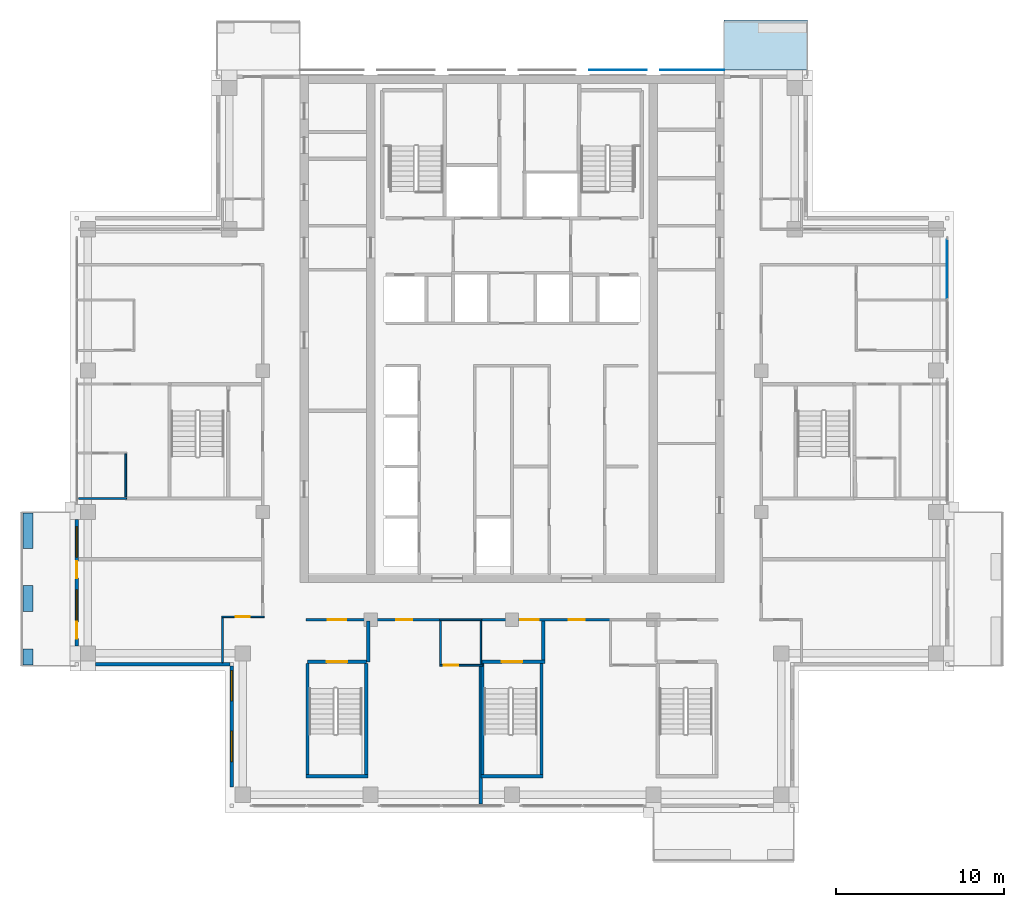
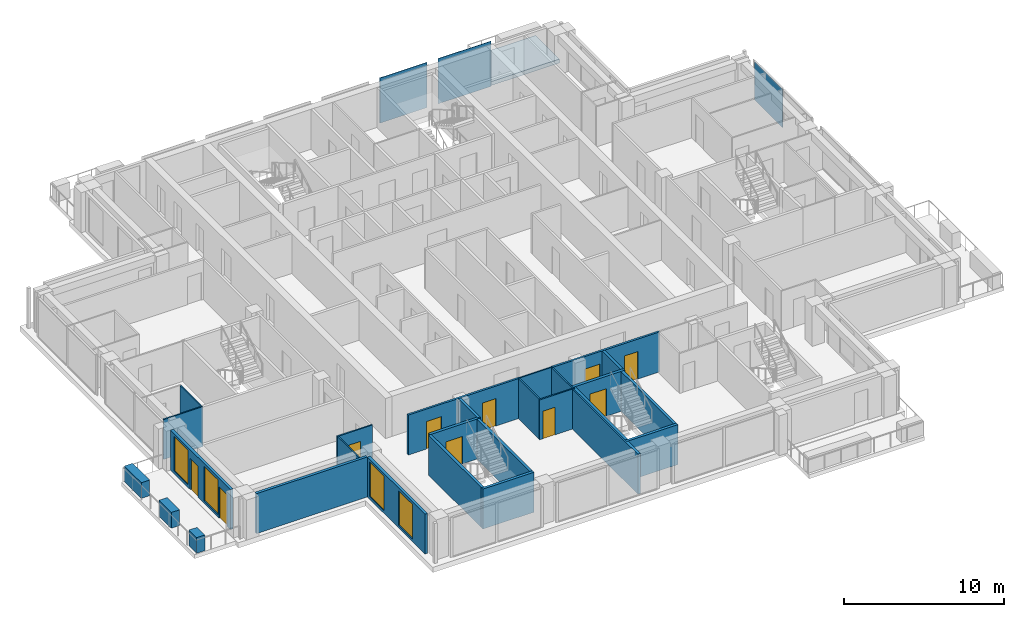
# One storey, part 9 of 18: 27 walls, 10 doors, 4 windows, 3 plates, 1 slab, 14 openings, 1 element without a shape of its own.
"""IFC4 building model written with IfcOpenShell, lengths in metres."""

from ifc_helpers import new_model, si_unit, direction, frame, frame_2d, origin, origin_2d, place, context, subcontext, project, spatial, polyline, rectangle, outline, extrude, material, layer, layer_set, type_object, element, fill, aggregate, save


model = new_model("IFC4")

# Units and contexts
model_context = context("Model", 3, precision=1e-05, world=origin(), true_north=direction((0.0, 1.0)))
body_context = subcontext(model_context, "Body", "Model", "MODEL_VIEW")
ifc_project = project(units=[si_unit("LENGTHUNIT", "METRE"), si_unit("AREAUNIT", "SQUARE_METRE"), si_unit("VOLUMEUNIT", "CUBIC_METRE"), si_unit("PLANEANGLEUNIT", "RADIAN"), si_unit("MASSUNIT", "GRAM", prefix="KILO")], contexts=[model_context])

# Site, building, storey
site_placement = place(None, origin())
site = spatial("IfcSite", under=ifc_project, at=site_placement, CompositionType="ELEMENT")
building_placement = place(site_placement, origin())
building = spatial("IfcBuilding", under=site, at=building_placement, Name="Vermilion Ogive Tower", CompositionType="ELEMENT")
storey_placement = place(building_placement, frame((0.0, 0.0, 230.35009765625)))
storey = spatial("IfcBuildingStorey", under=building, at=storey_placement, Name="L60", CompositionType="ELEMENT", Elevation=230.35009765625)

# Slab
ifc_material_1 = material(Name="Concrete B40", Category="concrete")
ifc_layer_1 = layer(ifc_material_1, 0.300048828125)
ifc_layer_set_1 = layer_set([ifc_layer_1], Name="Balcony slab")
slab_type = type_object("IfcSlabType", Name="Balcony slab", PredefinedType="FLOOR", material=ifc_layer_set_1)
slab_placement = place(storey_placement, frame((0.0, 0.0, -0.340087890625)))
element("IfcSlab", 1, at=slab_placement, inside=storey, type_object=slab_type, Name="Balcony slab N101", PredefinedType="FLOOR", context=body_context, shape_type="SweptSolid", body=[
    extrude(outline(polyline([(17.550048828125, 25.030029296875), (12.60009765625, 25.030029296875), (12.60009765625, 22.050048828125), (17.550048828125, 22.050048828125), (17.550048828125, 25.030029296875)])), origin(), (0.0, 0.0, 1.0), 0.300048828125),
])

# Curtain wall, plate
ifc_material_2 = material(Name="Low-iron laminated glazing in aluminium frame", Category="aluminium")
curtain_wall_type = type_object("IfcCurtainWallType", Name="Curtain wall CW7", PredefinedType="NOTDEFINED", material=ifc_material_2)
curtain_wall_placement = place(storey_placement, origin())
curtain_wall = element("IfcCurtainWall", 2, at=curtain_wall_placement, inside=storey, type_object=curtain_wall_type, Name="Glazed skin E3", PredefinedType="NOTDEFINED")
ifc_material_3 = material(Name="Low-iron laminated glazing in aluminium frame", Category="aluminium")
ifc_layer_2 = layer(ifc_material_3, 0.031982421875)
ifc_layer_set_2 = layer_set([ifc_layer_2], Name="CW7 glazing panel 32")
plate_type_1 = type_object("IfcPlateType", Name="CW7 glazing panel 32", PredefinedType="CURTAIN_PANEL", material=ifc_layer_set_2)
plate_1_placement = place(storey_placement, frame((25.85009765625, 10.22998046875, 0.06005859375), z_axis=(0.0, 0.0, 1.0), x_axis=(0.0, 1.0, 0.0)))
plate_1 = element("IfcPlate", 3, at=plate_1_placement, type_object=plate_type_1, Name="CW7-E3 panel 2.1", PredefinedType="CURTAIN_PANEL", context=body_context, shape_type="SweptSolid", body=[
    extrude(rectangle(XDim=3.47998046875, YDim=0.031982421875, at=origin_2d()), origin(), (0.0, 0.0, 1.0), 2.929931640625),
])
aggregate(curtain_wall, [plate_1])

# Plates
ifc_material_4 = material(Name="Low-iron laminated glazing in aluminium frame", Category="aluminium")
ifc_layer_3 = layer(ifc_material_4, 0.031982421875)
ifc_layer_set_3 = layer_set([ifc_layer_3], Name="Glazed rainscreen sheet 32")
plate_type_2 = type_object("IfcPlateType", Name="Glazed rainscreen sheet 32", PredefinedType="SHEET", material=ifc_layer_set_3)
plate_2_placement = place(storey_placement, frame((6.300048828125, 22.06591796875, -0.39990234375), z_axis=(0.0, 0.0, 1.0), x_axis=(1.0, 0.0, 0.0)))
element("IfcPlate", 4, at=plate_2_placement, inside=storey, type_object=plate_type_2, Name="Glazed rainscreen sheet N5", PredefinedType="SHEET", context=body_context, shape_type="SweptSolid", body=[
    extrude(rectangle(XDim=3.39990234375, YDim=0.031982421875, at=origin_2d()), origin(), (0.0, 0.0, 1.0), 3.449951171875),
])
plate_3_placement = place(storey_placement, frame((10.7099609375, 22.06591796875, -0.39990234375), z_axis=(0.0, 0.0, 1.0), x_axis=(1.0, 0.0, 0.0)))
element("IfcPlate", 5, at=plate_3_placement, inside=storey, type_object=plate_type_2, Name="Glazed rainscreen sheet N6", PredefinedType="SHEET", context=body_context, shape_type="SweptSolid", body=[
    extrude(rectangle(XDim=3.820068359375, YDim=0.031982421875, at=origin_2d()), origin(), (0.0, 0.0, 1.0), 3.449951171875),
])

# Wall, opening, door
ifc_material_5 = material(Name="Gypsum board partition on steel studs", Category="steel")
ifc_layer_4 = layer(ifc_material_5, 0.10009765625)
ifc_layer_set_4 = layer_set([ifc_layer_4], Name="Partition 100 bath")
wall_type_1 = type_object("IfcWallType", Name="Partition 100 bath", PredefinedType="PARTITIONING", material=ifc_layer_set_4)
wall_1_placement = place(storey_placement, frame((-4.300048828125, -13.300048828125, 0.0), z_axis=(0.0, 0.0, 1.0), x_axis=(1.0, 0.0, 0.0)))
wall_1 = element("IfcWall", 6, at=wall_1_placement, inside=storey, type_object=wall_type_1, Name="L60-W-W002", PredefinedType="PARTITIONING", context=body_context, shape_type="SweptSolid", body=[
    extrude(rectangle(XDim=2.550048828125, YDim=0.10009765625, at=frame_2d((1.27490234375, 0.0))), origin(), (0.0, 0.0, 1.0), 3.0498046875),
])
opening_1_placement = place(wall_1_placement, frame((0.25, 0.0, 0.0)))
opening_1 = element("IfcOpeningElement", 7, at=opening_1_placement, cuts=wall_1, Name="Opening D5G1010", PredefinedType="OPENING", context=body_context, shape_type="SweptSolid", body=[
    extrude(rectangle(XDim=0.85009765625, YDim=2.10009765625, at=frame_2d((0.425048828125, 1.050048828125))), frame((0.0, 0.06005859375, 0.0), z_axis=(0.0, -1.0, 0.0), x_axis=(1.0, 0.0, 0.0)), (0.0, 0.0, 1.0), 0.1201171875),
])
ifc_material_6 = material(Name="Timber door leaf", Category="wood")
door_type_1 = type_object("IfcDoorType", Name="Bath door 850 x 2100 FD30", OperationType="SINGLE_SWING_LEFT", PredefinedType="DOOR", material=ifc_material_6)
door_1_placement = place(opening_1_placement, origin())
door_1 = element("IfcDoor", 8, at=door_1_placement, inside=storey, type_object=door_type_1, Name="L60-D-D010", OperationType="SINGLE_SWING_LEFT", OverallHeight=2.10009765625, OverallWidth=0.85009765625, PredefinedType="DOOR", context=body_context, shape_type="SweptSolid", body=[
    extrude(rectangle(XDim=0.85009765625, YDim=2.10009765625, at=frame_2d((0.425048828125, 1.050048828125))), frame((0.0, 0.02490234375, 0.0), z_axis=(0.0, -1.0, 0.0), x_axis=(1.0, 0.0, 0.0)), (0.0, 0.0, 1.0), 0.050048828125),
])
fill(opening_1, door_1)

# Wall
wall_2_placement = place(storey_placement, frame((-4.300048828125, -10.60009765625, 0.0), z_axis=(0.0, 0.0, 1.0), x_axis=(1.0, 0.0, 0.0)))
element("IfcWall", 9, at=wall_2_placement, inside=storey, type_object=wall_type_1, Name="L60-W-W008", PredefinedType="PARTITIONING", context=body_context, shape_type="SweptSolid", body=[
    extrude(rectangle(XDim=2.5, YDim=0.10009765625, at=frame_2d((1.25, 0.0))), origin(), (0.0, 0.0, 1.0), 3.0498046875),
])

# Wall, opening, door
wall_3_placement = place(storey_placement, frame((-17.25, -10.429931640625, 0.0), z_axis=(0.0, 0.0, 1.0), x_axis=(1.0, 0.0, 0.0)))
wall_3 = element("IfcWall", 10, at=wall_3_placement, inside=storey, type_object=wall_type_1, Name="L60-W-W013", PredefinedType="PARTITIONING", context=body_context, shape_type="SweptSolid", body=[
    extrude(rectangle(XDim=2.52490234375, YDim=0.10009765625, at=frame_2d((1.262451171875, 0.0))), origin(), (0.0, 0.0, 1.0), 3.0498046875),
])
opening_2_placement = place(wall_3_placement, frame((0.824951171875, 0.0, 0.0)))
opening_2 = element("IfcOpeningElement", 11, at=opening_2_placement, cuts=wall_3, Name="Opening D5G1002", PredefinedType="OPENING", context=body_context, shape_type="SweptSolid", body=[
    extrude(rectangle(XDim=0.85009765625, YDim=2.10009765625, at=frame_2d((0.425048828125, 1.050048828125))), frame((0.0, 0.06005859375, 0.0), z_axis=(0.0, -1.0, 0.0), x_axis=(1.0, 0.0, 0.0)), (0.0, 0.0, 1.0), 0.1201171875),
])
door_2_placement = place(opening_2_placement, origin())
door_2 = element("IfcDoor", 12, at=door_2_placement, inside=storey, type_object=door_type_1, Name="L60-D-D002", OperationType="SINGLE_SWING_RIGHT", OverallHeight=2.10009765625, OverallWidth=0.85009765625, PredefinedType="DOOR", context=body_context, shape_type="SweptSolid", body=[
    extrude(rectangle(XDim=0.85009765625, YDim=2.10009765625, at=frame_2d((0.425048828125, 1.050048828125))), frame((0.0, 0.02490234375, 0.0), z_axis=(0.0, -1.0, 0.0), x_axis=(1.0, 0.0, 0.0)), (0.0, 0.0, 1.0), 0.050048828125),
])
fill(opening_2, door_2)

# Walls
wall_4_placement = place(storey_placement, frame((-25.75, -3.39990234375, 0.0), z_axis=(0.0, 0.0, 1.0), x_axis=(1.0, 0.0, 0.0)))
element("IfcWall", 13, at=wall_4_placement, inside=storey, type_object=wall_type_1, Name="L60-W-W016", PredefinedType="PARTITIONING", context=body_context, shape_type="SweptSolid", body=[
    extrude(rectangle(XDim=2.85009765625, YDim=0.10009765625, at=frame_2d((1.425048828125, 0.0))), origin(), (0.0, 0.0, 1.0), 3.0498046875),
])
wall_5_placement = place(storey_placement, frame((-22.949951171875, -3.300048828125, 0.0), z_axis=(0.0, 0.0, 1.0), x_axis=(0.0, 1.0, 0.0)))
element("IfcWall", 14, at=wall_5_placement, inside=storey, type_object=wall_type_1, Name="L60-W-W039", PredefinedType="PARTITIONING", context=body_context, shape_type="SweptSolid", body=[
    extrude(rectangle(XDim=2.550048828125, YDim=0.10009765625, at=frame_2d((1.27490234375, 0.0))), origin(), (0.0, 0.0, 1.0), 3.0498046875),
])
wall_6_placement = place(storey_placement, frame((-17.199951171875, -13.14990234375, 0.0), z_axis=(0.0, 0.0, 1.0), x_axis=(0.0, 1.0, 0.0)))
element("IfcWall", 15, at=wall_6_placement, inside=storey, type_object=wall_type_1, Name="L60-W-W042", PredefinedType="PARTITIONING", context=body_context, shape_type="SweptSolid", body=[
    extrude(rectangle(XDim=2.669921875, YDim=0.10009765625, at=frame_2d((1.3349609375, 0.0))), origin(), (0.0, 0.0, 1.0), 3.0498046875),
])
for number, where, z_axis, x_axis, name in (
    (16, (-4.25, -13.25, 0.0), (0.0, 0.0, 1.0), (0.0, 1.0, 0.0), "L60-W-W049"),
    (17, (-1.85009765625, -13.25, 0.0), (0.0, 0.0, 1.0), (0.0, 1.0, 0.0), "L60-W-W051"),
):
    element("IfcWall", number, at=place(storey_placement, frame(where, z_axis=z_axis, x_axis=x_axis)), inside=storey, type_object=wall_type_1, Name=name, PredefinedType="PARTITIONING", context=body_context, shape_type="SweptSolid", body=[
        extrude(rectangle(XDim=2.574951171875, YDim=0.10009765625, at=frame_2d((1.28759765625, 0.0))), origin(), (0.0, 0.0, 1.0), 3.0498046875),
    ])

# Wall, openings, doors
ifc_material_7 = material(Name="Gypsum board partition on steel studs", Category="steel")
ifc_layer_5 = layer(ifc_material_7, 0.14990234375)
ifc_layer_set_5 = layer_set([ifc_layer_5], Name="Partition 150 corridor")
wall_type_2 = type_object("IfcWallType", Name="Partition 150 corridor", PredefinedType="PARTITIONING", material=ifc_layer_set_5)
wall_7_placement = place(storey_placement, frame((-12.25, -10.60009765625, 0.0), z_axis=(0.0, 0.0, 1.0), x_axis=(1.0, 0.0, 0.0)))
wall_7 = element("IfcWall", 18, at=wall_7_placement, inside=storey, type_object=wall_type_2, Name="L60-W-W007", PredefinedType="PARTITIONING", context=body_context, shape_type="SweptSolid", body=[
    extrude(rectangle(XDim=8.050048828125, YDim=0.14990234375, at=frame_2d((4.02490234375, 0.0))), origin(), (0.0, 0.0, 1.0), 3.0498046875),
])
opening_3_placement = place(wall_7_placement, frame((5.375, 0.0, 0.0)))
opening_3 = element("IfcOpeningElement", 19, at=opening_3_placement, cuts=wall_7, Name="Opening D5G1009", PredefinedType="OPENING", context=body_context, shape_type="SweptSolid", body=[
    extrude(rectangle(XDim=0.949951171875, YDim=2.10009765625, at=frame_2d((0.47509765625, 1.050048828125))), frame((0.0, 0.0849609375, 0.0), z_axis=(0.0, -1.0, 0.0), x_axis=(1.0, 0.0, 0.0)), (0.0, 0.0, 1.0), 0.169921875),
])
opening_4_placement = place(wall_7_placement, frame((1.300048828125, 0.0, 0.0)))
opening_4 = element("IfcOpeningElement", 20, at=opening_4_placement, cuts=wall_7, Name="Opening D5G1023", PredefinedType="OPENING", context=body_context, shape_type="SweptSolid", body=[
    extrude(rectangle(XDim=1.10009765625, YDim=2.10009765625, at=frame_2d((0.550048828125, 1.050048828125))), frame((0.0, 0.0849609375, 0.0), z_axis=(0.0, -1.0, 0.0), x_axis=(1.0, 0.0, 0.0)), (0.0, 0.0, 1.0), 0.169921875),
])
ifc_material_8 = material(Name="Timber door leaf", Category="wood")
door_type_2 = type_object("IfcDoorType", Name="Stair door 1100 x 2100 FD60S", OperationType="SINGLE_SWING_LEFT", PredefinedType="DOOR", material=ifc_material_8)
door_3_placement = place(opening_4_placement, origin())
door_3 = element("IfcDoor", 21, at=door_3_placement, inside=storey, type_object=door_type_2, Name="L60-D-D023", OperationType="SINGLE_SWING_RIGHT", OverallHeight=2.10009765625, OverallWidth=1.10009765625, PredefinedType="DOOR", context=body_context, shape_type="SweptSolid", body=[
    extrude(rectangle(XDim=1.10009765625, YDim=2.10009765625, at=frame_2d((0.550048828125, 1.050048828125))), frame((0.0, 0.02490234375, 0.0), z_axis=(0.0, -1.0, 0.0), x_axis=(1.0, 0.0, 0.0)), (0.0, 0.0, 1.0), 0.050048828125),
])
fill(opening_4, door_3)
ifc_material_9 = material(Name="Timber door leaf", Category="wood")
door_type_3 = type_object("IfcDoorType", Name="Unit door 950 x 2100 FD30S", OperationType="SINGLE_SWING_LEFT", PredefinedType="DOOR", material=ifc_material_9)
door_4_placement = place(opening_3_placement, origin())
door_4 = element("IfcDoor", 22, at=door_4_placement, inside=storey, type_object=door_type_3, Name="L60-D-D009", OperationType="SINGLE_SWING_LEFT", OverallHeight=2.10009765625, OverallWidth=0.949951171875, PredefinedType="DOOR", context=body_context, shape_type="SweptSolid", body=[
    extrude(rectangle(XDim=0.949951171875, YDim=2.10009765625, at=frame_2d((0.47509765625, 1.050048828125))), frame((0.0, 0.02490234375, 0.0), z_axis=(0.0, -1.0, 0.0), x_axis=(1.0, 0.0, 0.0)), (0.0, 0.0, 1.0), 0.050048828125),
])
fill(opening_3, door_4)

wall_8_placement = place(storey_placement, frame((-1.89990234375, -10.60009765625, 0.0), z_axis=(0.0, 0.0, 1.0), x_axis=(1.0, 0.0, 0.0)))
wall_8 = element("IfcWall", 23, at=wall_8_placement, inside=storey, type_object=wall_type_2, Name="L60-W-W009", PredefinedType="PARTITIONING", context=body_context, shape_type="SweptSolid", body=[
    extrude(rectangle(XDim=7.7998046875, YDim=0.14990234375, at=frame_2d((3.89990234375, 0.0))), origin(), (0.0, 0.0, 1.0), 3.0498046875),
])
opening_5_placement = place(wall_8_placement, frame((5.27490234375, 0.0, 0.0)))
opening_5 = element("IfcOpeningElement", 24, at=opening_5_placement, cuts=wall_8, Name="Opening D5G1011", PredefinedType="OPENING", context=body_context, shape_type="SweptSolid", body=[
    extrude(rectangle(XDim=0.949951171875, YDim=2.10009765625, at=frame_2d((0.47509765625, 1.050048828125))), frame((0.0, 0.0849609375, 0.0), z_axis=(0.0, -1.0, 0.0), x_axis=(1.0, 0.0, 0.0)), (0.0, 0.0, 1.0), 0.169921875),
])
opening_6_placement = place(wall_8_placement, frame((2.39990234375, 0.0, 0.0)))
opening_6 = element("IfcOpeningElement", 25, at=opening_6_placement, cuts=wall_8, Name="Opening D5G1025", PredefinedType="OPENING", context=body_context, shape_type="SweptSolid", body=[
    extrude(rectangle(XDim=1.10009765625, YDim=2.10009765625, at=frame_2d((0.550048828125, 1.050048828125))), frame((0.0, 0.0849609375, 0.0), z_axis=(0.0, -1.0, 0.0), x_axis=(1.0, 0.0, 0.0)), (0.0, 0.0, 1.0), 0.169921875),
])
door_5_placement = place(opening_6_placement, origin())
door_5 = element("IfcDoor", 26, at=door_5_placement, inside=storey, type_object=door_type_2, Name="L60-D-D025", OperationType="SINGLE_SWING_LEFT", OverallHeight=2.10009765625, OverallWidth=1.10009765625, PredefinedType="DOOR", context=body_context, shape_type="SweptSolid", body=[
    extrude(rectangle(XDim=1.10009765625, YDim=2.10009765625, at=frame_2d((0.550048828125, 1.050048828125))), frame((0.0, 0.02490234375, 0.0), z_axis=(0.0, -1.0, 0.0), x_axis=(1.0, 0.0, 0.0)), (0.0, 0.0, 1.0), 0.050048828125),
])
fill(opening_6, door_5)
door_6_placement = place(opening_5_placement, origin())
door_6 = element("IfcDoor", 27, at=door_6_placement, inside=storey, type_object=door_type_3, Name="L60-D-D011", OperationType="SINGLE_SWING_LEFT", OverallHeight=2.10009765625, OverallWidth=0.949951171875, PredefinedType="DOOR", context=body_context, shape_type="SweptSolid", body=[
    extrude(rectangle(XDim=0.949951171875, YDim=2.10009765625, at=frame_2d((0.47509765625, 1.050048828125))), frame((0.0, 0.02490234375, 0.0), z_axis=(0.0, -1.0, 0.0), x_axis=(1.0, 0.0, 0.0)), (0.0, 0.0, 1.0), 0.050048828125),
])
fill(opening_5, door_6)

# Walls
ifc_material_10 = material(Name="Gypsum board partition on steel studs", Category="steel")
ifc_layer_6 = layer(ifc_material_10, 0.199951171875)
ifc_layer_set_6 = layer_set([ifc_layer_6], Name="Partition 200 party")
wall_type_3 = type_object("IfcWallType", Name="Partition 200 party", PredefinedType="PARTITIONING", material=ifc_layer_set_6)
wall_9_placement = place(storey_placement, frame((-8.550048828125, -13.10009765625, 0.0), z_axis=(0.0, 0.0, 1.0), x_axis=(0.0, 1.0, 0.0)))
element("IfcWall", 28, at=wall_9_placement, inside=storey, type_object=wall_type_3, Name="L60-W-W048", PredefinedType="PARTITIONING", context=body_context, shape_type="SweptSolid", body=[
    extrude(rectangle(XDim=2.425048828125, YDim=0.199951171875, at=frame_2d((1.21240234375, 0.0))), origin(), (0.0, 0.0, 1.0), 3.0498046875),
])
ifc_material_11 = material(Name="Concrete B60", Category="concrete")
ifc_layer_7 = layer(ifc_material_11, 0.199951171875)
ifc_layer_set_7 = layer_set([ifc_layer_7], Name="Stair shaft wall 200 Concrete B60")
wall_type_4 = type_object("IfcWallType", Name="Stair shaft wall 200 Concrete B60", PredefinedType="SOLIDWALL", material=ifc_layer_set_7)
wall_10_placement = place(storey_placement, frame((-1.847900390625, -19.89990234375, 0.0), z_axis=(0.0, 0.0, 1.0), x_axis=(1.0, 0.0, 0.0)))
element("IfcWall", 29, at=wall_10_placement, inside=storey, type_object=wall_type_4, Name="L60-W-W001", PredefinedType="SOLIDWALL", context=body_context, shape_type="SweptSolid", body=[
    extrude(rectangle(XDim=3.69580078125, YDim=0.199951171875, at=frame_2d((1.847900390625, 0.0))), origin(), (0.0, 0.0, 1.0), 3.0498046875),
])

# Wall, opening, door
wall_11_placement = place(storey_placement, frame((-12.14990234375, -13.10009765625, 0.0), z_axis=(0.0, 0.0, 1.0), x_axis=(1.0, 0.0, 0.0)))
wall_11 = element("IfcWall", 30, at=wall_11_placement, inside=storey, type_object=wall_type_4, Name="L60-W-W004", PredefinedType="SOLIDWALL", context=body_context, shape_type="SweptSolid", body=[
    extrude(rectangle(XDim=3.5, YDim=0.199951171875, at=frame_2d((1.75, 0.0))), origin(), (0.0, 0.0, 1.0), 3.0498046875),
])
opening_7_placement = place(wall_11_placement, frame((1.14990234375, 0.0, 0.0)))
opening_7 = element("IfcOpeningElement", 31, at=opening_7_placement, cuts=wall_11, Name="Opening D5G1024", PredefinedType="OPENING", context=body_context, shape_type="SweptSolid", body=[
    extrude(rectangle(XDim=1.199951171875, YDim=2.10009765625, at=frame_2d((0.60009765625, 1.050048828125))), frame((0.0, 0.10986328125, 0.0), z_axis=(0.0, -1.0, 0.0), x_axis=(1.0, 0.0, 0.0)), (0.0, 0.0, 1.0), 0.219970703125),
])
ifc_material_12 = material(Name="Timber door leaf", Category="wood")
door_type_4 = type_object("IfcDoorType", Name="Stair door 1200 x 2100 FD60S", OperationType="SINGLE_SWING_LEFT", PredefinedType="DOOR", material=ifc_material_12)
door_7_placement = place(opening_7_placement, origin())
door_7 = element("IfcDoor", 32, at=door_7_placement, inside=storey, type_object=door_type_4, Name="L60-D-D024", OperationType="SINGLE_SWING_RIGHT", OverallHeight=2.10009765625, OverallWidth=1.199951171875, PredefinedType="DOOR", context=body_context, shape_type="SweptSolid", body=[
    extrude(rectangle(XDim=1.199951171875, YDim=2.10009765625, at=frame_2d((0.60009765625, 1.050048828125))), frame((0.0, 0.02490234375, 0.0), z_axis=(0.0, -1.0, 0.0), x_axis=(1.0, 0.0, 0.0)), (0.0, 0.0, 1.0), 0.050048828125),
])
fill(opening_7, door_7)

wall_12_placement = place(storey_placement, frame((-1.798095703125, -13.10009765625, 0.0), z_axis=(0.0, 0.0, 1.0), x_axis=(1.0, 0.0, 0.0)))
wall_12 = element("IfcWall", 33, at=wall_12_placement, inside=storey, type_object=wall_type_4, Name="L60-W-W005", PredefinedType="SOLIDWALL", context=body_context, shape_type="SweptSolid", body=[
    extrude(rectangle(XDim=3.74609375, YDim=0.199951171875, at=frame_2d((1.873046875, 0.0))), origin(), (0.0, 0.0, 1.0), 3.0498046875),
])
opening_8_placement = place(wall_12_placement, frame((1.197998046875, 0.0, 0.0)))
opening_8 = element("IfcOpeningElement", 34, at=opening_8_placement, cuts=wall_12, Name="Opening D5G1026", PredefinedType="OPENING", context=body_context, shape_type="SweptSolid", body=[
    extrude(rectangle(XDim=1.199951171875, YDim=2.10009765625, at=frame_2d((0.60009765625, 1.050048828125))), frame((0.0, 0.10986328125, 0.0), z_axis=(0.0, -1.0, 0.0), x_axis=(1.0, 0.0, 0.0)), (0.0, 0.0, 1.0), 0.219970703125),
])
door_8_placement = place(opening_8_placement, origin())
door_8 = element("IfcDoor", 35, at=door_8_placement, inside=storey, type_object=door_type_4, Name="L60-D-D026", OperationType="SINGLE_SWING_RIGHT", OverallHeight=2.10009765625, OverallWidth=1.199951171875, PredefinedType="DOOR", context=body_context, shape_type="SweptSolid", body=[
    extrude(rectangle(XDim=1.199951171875, YDim=2.10009765625, at=frame_2d((0.60009765625, 1.050048828125))), frame((0.0, 0.02490234375, 0.0), z_axis=(0.0, -1.0, 0.0), x_axis=(1.0, 0.0, 0.0)), (0.0, 0.0, 1.0), 0.050048828125),
])
fill(opening_8, door_8)

# Walls
for number, where, z_axis, x_axis, name in (
    (36, (-1.75, -19.798095703125, 0.0), (0.0, 0.0, 1.0), (0.0, 1.0, 0.0), "L60-W-W052"),
    (37, (1.75, -19.798095703125, 0.0), (0.0, 0.0, 1.0), (0.0, 1.0, 0.0), "L60-W-W053"),
):
    element("IfcWall", number, at=place(storey_placement, frame(where, z_axis=z_axis, x_axis=x_axis)), inside=storey, type_object=wall_type_4, Name=name, PredefinedType="SOLIDWALL", context=body_context, shape_type="SweptSolid", body=[
        extrude(rectangle(XDim=6.59619140625, YDim=0.199951171875, at=frame_2d((3.298095703125, 0.0))), origin(), (0.0, 0.0, 1.0), 3.0498046875),
    ])
wall_13_placement = place(storey_placement, frame((1.85009765625, -12.998046875, 0.0), z_axis=(0.0, 0.0, 1.0), x_axis=(0.0, 1.0, 0.0)))
element("IfcWall", 38, at=wall_13_placement, inside=storey, type_object=wall_type_4, Name="L60-W-W054", PredefinedType="SOLIDWALL", context=body_context, shape_type="SweptSolid", body=[
    extrude(rectangle(XDim=2.322998046875, YDim=0.199951171875, at=frame_2d((1.16162109375, 0.0))), origin(), (0.0, 0.0, 1.0), 3.0498046875),
])
wall_14_placement = place(storey_placement, frame((-12.25, -19.89990234375, 0.0), z_axis=(0.0, 0.0, 1.0), x_axis=(1.0, 0.0, 0.0)))
element("IfcWall", 39, at=wall_14_placement, inside=storey, type_object=wall_type_4, Name="L60-SW-ST3-S1", PredefinedType="SOLIDWALL", context=body_context, shape_type="SweptSolid", body=[
    extrude(rectangle(XDim=3.699951171875, YDim=0.199951171875, at=frame_2d((1.85009765625, 0.0))), origin(), (0.0, 0.0, 1.0), 3.0498046875),
])
for number, where, z_axis, x_axis, name in (
    (40, (-12.14990234375, -19.800048828125, 0.0), (0.0, 0.0, 1.0), (0.0, 1.0, 0.0), "L60-SW-ST3-W1"),
    (41, (-8.64990234375, -19.800048828125, 0.0), (0.0, 0.0, 1.0), (0.0, 1.0, 0.0), "L60-SW-ST3-E1"),
):
    element("IfcWall", number, at=place(storey_placement, frame(where, z_axis=z_axis, x_axis=x_axis)), inside=storey, type_object=wall_type_4, Name=name, PredefinedType="SOLIDWALL", context=body_context, shape_type="SweptSolid", body=[
        extrude(rectangle(XDim=6.60009765625, YDim=0.199951171875, at=frame_2d((3.300048828125, 0.0))), origin(), (0.0, 0.0, 1.0), 3.0498046875),
    ])
wall_15_placement = place(storey_placement, frame((-1.85009765625, -21.550048828125, 0.0), z_axis=(0.0, 0.0, 1.0), x_axis=(0.0, 1.0, 0.0)))
element("IfcWall", 42, at=wall_15_placement, inside=storey, type_object=wall_type_4, Name="L60-W-W050-A", PredefinedType="SOLIDWALL", context=body_context, shape_type="SweptSolid", body=[
    extrude(rectangle(XDim=8.199951171875, YDim=0.199951171875, at=frame_2d((4.10009765625, 0.0))), origin(), (0.0, 0.0, 1.0), 3.0498046875),
])
ifc_material_13 = material(Name="Concrete B40", Category="concrete")
ifc_layer_8 = layer(ifc_material_13, 0.60009765625)
ifc_layer_set_8 = layer_set([ifc_layer_8], Name="Structural planter")
wall_type_5 = type_object("IfcWallType", Name="Structural planter", PredefinedType="USERDEFINED", material=ifc_layer_set_8)
wall_16_placement = place(storey_placement, frame((-28.75, -4.260009765625, -0.0400390625), z_axis=(0.0, 0.0, 1.0), x_axis=(0.0, -1.0, 0.0)))
element("IfcWall", 43, at=wall_16_placement, inside=storey, type_object=wall_type_5, Name="Planter W03A1", ObjectType="PLANTER", PredefinedType="USERDEFINED", context=body_context, shape_type="SweptSolid", body=[
    extrude(rectangle(XDim=2.114990234375, YDim=0.60009765625, at=frame_2d((1.0576171875, 0.0))), origin(), (0.0, 0.0, 1.0), 1.199951171875),
])
wall_17_placement = place(storey_placement, frame((-28.75, -8.574951171875, -0.0400390625), z_axis=(0.0, 0.0, 1.0), x_axis=(0.0, -1.0, 0.0)))
element("IfcWall", 44, at=wall_17_placement, inside=storey, type_object=wall_type_5, Name="Planter W03A2", ObjectType="PLANTER", PredefinedType="USERDEFINED", context=body_context, shape_type="SweptSolid", body=[
    extrude(rectangle(XDim=1.550048828125, YDim=0.60009765625, at=frame_2d((0.77490234375, 0.0))), origin(), (0.0, 0.0, 1.0), 1.199951171875),
])
wall_18_placement = place(storey_placement, frame((-28.75, -12.324951171875, -0.0400390625), z_axis=(0.0, 0.0, 1.0), x_axis=(0.0, -1.0, 0.0)))
element("IfcWall", 45, at=wall_18_placement, inside=storey, type_object=wall_type_5, Name="Planter W03A3", ObjectType="PLANTER", PredefinedType="USERDEFINED", context=body_context, shape_type="SweptSolid", body=[
    extrude(rectangle(XDim=0.965087890625, YDim=0.60009765625, at=frame_2d((0.482421875, 0.0))), origin(), (0.0, 0.0, 1.0), 1.199951171875),
])

# Wall, openings, doors, windows
ifc_material_14 = material(Name="Aluminium window wall framing", Category="aluminium")
ifc_layer_9 = layer(ifc_material_14, 0.199951171875)
ifc_layer_set_9 = layer_set([ifc_layer_9], Name="Window wall")
wall_type_6 = type_object("IfcWallType", Name="Window wall", PredefinedType="STANDARD", material=ifc_layer_set_9)
wall_19_placement = place(storey_placement, frame((-25.85009765625, -4.64990234375, 0.0), z_axis=(0.0, 0.0, 1.0), x_axis=(0.0, -1.0, 0.0)))
wall_19 = element("IfcWall", 46, at=wall_19_placement, inside=storey, type_object=wall_type_6, Name="Window wall W3", PredefinedType="STANDARD", context=body_context, shape_type="SweptSolid", body=[
    extrude(rectangle(XDim=7.5, YDim=0.199951171875, at=frame_2d((3.75, 0.0))), origin(), (0.0, 0.0, 1.0), 3.0498046875),
])
opening_9_placement = place(wall_19_placement, frame((4.175048828125, 0.0, 0.199951171875)))
opening_9 = element("IfcOpeningElement", 47, at=opening_9_placement, cuts=wall_19, Name="Opening W1-W97", PredefinedType="OPENING", context=body_context, shape_type="SweptSolid", body=[
    extrude(rectangle(XDim=1.800048828125, YDim=2.64990234375, at=frame_2d((0.89990234375, 1.324951171875))), frame((0.0, 0.10986328125, 0.0), z_axis=(0.0, -1.0, 0.0), x_axis=(1.0, 0.0, 0.0)), (0.0, 0.0, 1.0), 0.219970703125),
])
opening_10_placement = place(wall_19_placement, frame((6.074951171875, 0.0, 0.0)))
opening_10 = element("IfcOpeningElement", 48, at=opening_10_placement, cuts=wall_19, Name="Opening D1-W97", PredefinedType="OPENING", context=body_context, shape_type="SweptSolid", body=[
    extrude(rectangle(XDim=1.0, YDim=2.39990234375, at=frame_2d((0.5, 1.199951171875))), frame((0.0, 0.10986328125, 0.0), z_axis=(0.0, -1.0, 0.0), x_axis=(1.0, 0.0, 0.0)), (0.0, 0.0, 1.0), 0.219970703125),
])
opening_11_placement = place(wall_19_placement, frame((0.425048828125, 0.0, 0.199951171875)))
opening_11 = element("IfcOpeningElement", 49, at=opening_11_placement, cuts=wall_19, Name="Opening W1-W98", PredefinedType="OPENING", context=body_context, shape_type="SweptSolid", body=[
    extrude(rectangle(XDim=1.800048828125, YDim=2.64990234375, at=frame_2d((0.89990234375, 1.324951171875))), frame((0.0, 0.10986328125, 0.0), z_axis=(0.0, -1.0, 0.0), x_axis=(1.0, 0.0, 0.0)), (0.0, 0.0, 1.0), 0.219970703125),
])
opening_12_placement = place(wall_19_placement, frame((2.47509765625, 0.0, 0.0)))
opening_12 = element("IfcOpeningElement", 50, at=opening_12_placement, cuts=wall_19, Name="Opening D1-W98", PredefinedType="OPENING", context=body_context, shape_type="SweptSolid", body=[
    extrude(rectangle(XDim=1.0, YDim=2.39990234375, at=frame_2d((0.5, 1.199951171875))), frame((0.0, 0.10986328125, 0.0), z_axis=(0.0, -1.0, 0.0), x_axis=(1.0, 0.0, 0.0)), (0.0, 0.0, 1.0), 0.219970703125),
])
ifc_material_15 = material(Name="Aluminium framed glazed door", Category="aluminium")
door_type_5 = type_object("IfcDoorType", Name="Balcony door D1", OperationType="SINGLE_SWING_LEFT", PredefinedType="DOOR", material=ifc_material_15)
door_9_placement = place(opening_10_placement, origin())
door_9 = element("IfcDoor", 51, at=door_9_placement, inside=storey, type_object=door_type_5, Name="Balcony door W97", OperationType="SINGLE_SWING_LEFT", OverallHeight=2.39990234375, OverallWidth=1.0, PredefinedType="DOOR", context=body_context, shape_type="SweptSolid", body=[
    extrude(rectangle(XDim=1.0, YDim=2.39990234375, at=frame_2d((0.5, 1.199951171875))), frame((0.0, 0.02490234375, 0.0), z_axis=(0.0, -1.0, 0.0), x_axis=(1.0, 0.0, 0.0)), (0.0, 0.0, 1.0), 0.050048828125),
])
fill(opening_10, door_9)
door_10_placement = place(opening_12_placement, origin())
door_10 = element("IfcDoor", 52, at=door_10_placement, inside=storey, type_object=door_type_5, Name="Balcony door W98", OperationType="SINGLE_SWING_LEFT", OverallHeight=2.39990234375, OverallWidth=1.0, PredefinedType="DOOR", context=body_context, shape_type="SweptSolid", body=[
    extrude(rectangle(XDim=1.0, YDim=2.39990234375, at=frame_2d((0.5, 1.199951171875))), frame((0.0, 0.02490234375, 0.0), z_axis=(0.0, -1.0, 0.0), x_axis=(1.0, 0.0, 0.0)), (0.0, 0.0, 1.0), 0.050048828125),
])
fill(opening_12, door_10)
ifc_material_16 = material(Name="Aluminium framed double glazing", Category="aluminium")
window_type = type_object("IfcWindowType", Name="Guest window W1", PartitioningType="SINGLE_PANEL", PredefinedType="WINDOW", material=ifc_material_16)
window_1_placement = place(opening_9_placement, origin())
window_1 = element("IfcWindow", 53, at=window_1_placement, inside=storey, type_object=window_type, Name="Window W97", OverallHeight=2.64990234375, OverallWidth=1.800048828125, PartitioningType="SINGLE_PANEL", PredefinedType="WINDOW", context=body_context, shape_type="SweptSolid", body=[
    extrude(rectangle(XDim=1.800048828125, YDim=2.64990234375, at=frame_2d((0.89990234375, 1.324951171875))), frame((0.0, 0.030029296875, 0.0), z_axis=(0.0, -1.0, 0.0), x_axis=(1.0, 0.0, 0.0)), (0.0, 0.0, 1.0), 0.06005859375),
])
fill(opening_9, window_1)
window_2_placement = place(opening_11_placement, origin())
window_2 = element("IfcWindow", 54, at=window_2_placement, inside=storey, type_object=window_type, Name="Window W98", OverallHeight=2.64990234375, OverallWidth=1.800048828125, PartitioningType="SINGLE_PANEL", PredefinedType="WINDOW", context=body_context, shape_type="SweptSolid", body=[
    extrude(rectangle(XDim=1.800048828125, YDim=2.64990234375, at=frame_2d((0.89990234375, 1.324951171875))), frame((0.0, 0.030029296875, 0.0), z_axis=(0.0, -1.0, 0.0), x_axis=(1.0, 0.0, 0.0)), (0.0, 0.0, 1.0), 0.06005859375),
])
fill(opening_11, window_2)

# Wall
wall_20_placement = place(storey_placement, frame((-24.75, -13.25, 0.0), z_axis=(0.0, 0.0, 1.0), x_axis=(1.0, 0.0, 0.0)))
element("IfcWall", 55, at=wall_20_placement, inside=storey, type_object=wall_type_6, Name="Window wall X71", PredefinedType="STANDARD", context=body_context, shape_type="SweptSolid", body=[
    extrude(rectangle(XDim=8.0, YDim=0.199951171875, at=frame_2d((4.0, 0.0))), origin(), (0.0, 0.0, 1.0), 3.0498046875),
])

# Wall, openings, windows
wall_21_placement = place(storey_placement, frame((-16.64990234375, -13.35009765625, 0.0), z_axis=(0.0, 0.0, 1.0), x_axis=(0.0, -1.0, 0.0)))
wall_21 = element("IfcWall", 56, at=wall_21_placement, inside=storey, type_object=wall_type_6, Name="Window wall X81", PredefinedType="STANDARD", context=body_context, shape_type="SweptSolid", body=[
    extrude(rectangle(XDim=7.199951171875, YDim=0.199951171875, at=frame_2d((3.60009765625, 0.0))), origin(), (0.0, 0.0, 1.0), 3.0498046875),
])
opening_13_placement = place(wall_21_placement, frame((3.875, 0.0, 0.199951171875)))
opening_13 = element("IfcOpeningElement", 57, at=opening_13_placement, cuts=wall_21, Name="Opening W1-X895", PredefinedType="OPENING", context=body_context, shape_type="SweptSolid", body=[
    extrude(rectangle(XDim=1.800048828125, YDim=2.64990234375, at=frame_2d((0.89990234375, 1.324951171875))), frame((0.0, 0.10986328125, 0.0), z_axis=(0.0, -1.0, 0.0), x_axis=(1.0, 0.0, 0.0)), (0.0, 0.0, 1.0), 0.219970703125),
])
opening_14_placement = place(wall_21_placement, frame((0.27490234375, 0.0, 0.199951171875)))
opening_14 = element("IfcOpeningElement", 58, at=opening_14_placement, cuts=wall_21, Name="Opening W1-X896", PredefinedType="OPENING", context=body_context, shape_type="SweptSolid", body=[
    extrude(rectangle(XDim=1.800048828125, YDim=2.64990234375, at=frame_2d((0.89990234375, 1.324951171875))), frame((0.0, 0.10986328125, 0.0), z_axis=(0.0, -1.0, 0.0), x_axis=(1.0, 0.0, 0.0)), (0.0, 0.0, 1.0), 0.219970703125),
])
window_3_placement = place(opening_13_placement, origin())
window_3 = element("IfcWindow", 59, at=window_3_placement, inside=storey, type_object=window_type, Name="Window X895", OverallHeight=2.64990234375, OverallWidth=1.800048828125, PartitioningType="SINGLE_PANEL", PredefinedType="WINDOW", context=body_context, shape_type="SweptSolid", body=[
    extrude(rectangle(XDim=1.800048828125, YDim=2.64990234375, at=frame_2d((0.89990234375, 1.324951171875))), frame((0.0, 0.030029296875, 0.0), z_axis=(0.0, -1.0, 0.0), x_axis=(1.0, 0.0, 0.0)), (0.0, 0.0, 1.0), 0.06005859375),
])
fill(opening_13, window_3)
window_4_placement = place(opening_14_placement, origin())
window_4 = element("IfcWindow", 60, at=window_4_placement, inside=storey, type_object=window_type, Name="Window X896", OverallHeight=2.64990234375, OverallWidth=1.800048828125, PartitioningType="SINGLE_PANEL", PredefinedType="WINDOW", context=body_context, shape_type="SweptSolid", body=[
    extrude(rectangle(XDim=1.800048828125, YDim=2.64990234375, at=frame_2d((0.89990234375, 1.324951171875))), frame((0.0, 0.030029296875, 0.0), z_axis=(0.0, -1.0, 0.0), x_axis=(1.0, 0.0, 0.0)), (0.0, 0.0, 1.0), 0.06005859375),
])
fill(opening_14, window_4)

save(model, "model.ifc")
